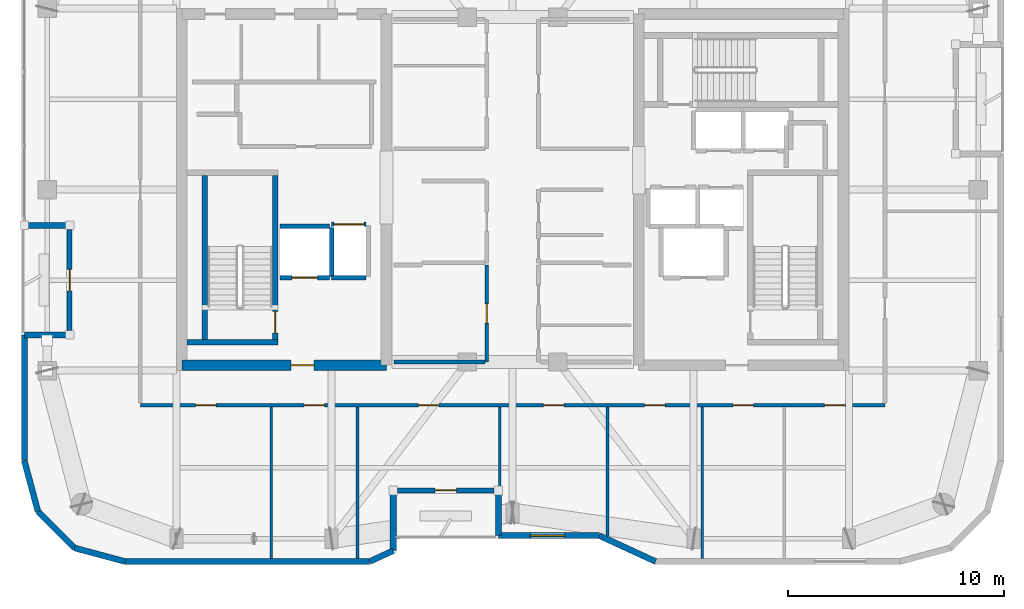
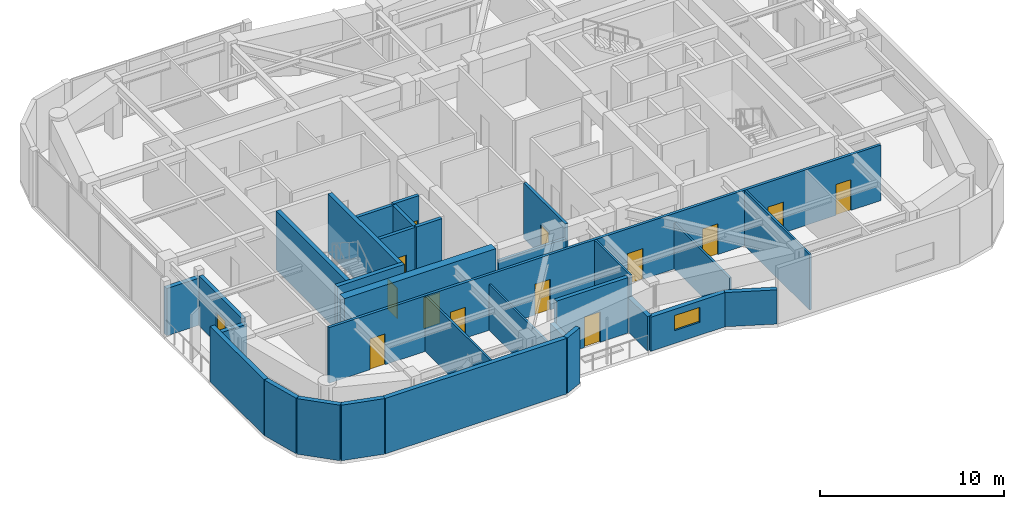
# One storey, part 10 of 15: 31 walls, 14 doors, 1 window, 15 openings.
"""IFC4 building model written with IfcOpenShell, lengths in metres."""

from ifc_helpers import new_model, si_unit, direction, frame, frame_2d, origin, place, context, subcontext, project, spatial, rectangle, extrude, material, layer, layer_set, type_object, element, fill, save


model = new_model("IFC4")

# Units and contexts
model_context = context("Model", 3, precision=1e-05, world=origin(), true_north=direction((0.0, 1.0)))
body_context = subcontext(model_context, "Body", "Model", "MODEL_VIEW")
ifc_project = project(units=[si_unit("LENGTHUNIT", "METRE"), si_unit("AREAUNIT", "SQUARE_METRE"), si_unit("VOLUMEUNIT", "CUBIC_METRE"), si_unit("PLANEANGLEUNIT", "RADIAN"), si_unit("MASSUNIT", "GRAM", prefix="KILO")], contexts=[model_context])

# Site, building, storey
site_placement = place(None, origin())
site = spatial("IfcSite", under=ifc_project, at=site_placement, CompositionType="ELEMENT")
building_placement = place(site_placement, origin())
building = spatial("IfcBuilding", under=site, at=building_placement, Name="Kiyonajd Concourse Tower", CompositionType="ELEMENT")
storey_placement = place(building_placement, frame((0.0, 0.0, 318.0)))
storey = spatial("IfcBuildingStorey", under=building, at=storey_placement, Name="L80", CompositionType="ELEMENT", Elevation=318.0)

# Wall, opening, door
ifc_material_1 = material(Name="Concrete C60/75", Category="concrete")
ifc_layer_1 = layer(ifc_material_1, 0.5)
ifc_layer_set_1 = layer_set([ifc_layer_1], Name="Concrete C60/75")
wall_type_1 = type_object("IfcWallType", Name="WL-CORE-500", PredefinedType="SHEAR", material=ifc_layer_set_1)
wall_1_placement = place(storey_placement, frame((32.64990234375, 27.85009765625, 0.0), z_axis=(0.0, 0.0, 1.0), x_axis=(1.0, 0.0, 0.0)))
wall_1 = element("IfcWall", 1, at=wall_1_placement, inside=storey, type_object=wall_type_1, Name="L80 West Core South Shear Wall", PredefinedType="SHEAR", context=body_context, shape_type="SweptSolid", body=[
    extrude(rectangle(XDim=9.5, YDim=0.5, at=frame_2d((4.75, 0.0))), origin(), (0.0, 0.0, 1.0), 3.89990234375),
])
opening_1_placement = place(wall_1_placement, frame((5.074951171875, 0.0, 0.0)))
opening_1 = element("IfcOpeningElement", 2, at=opening_1_placement, cuts=wall_1, Name="Opening DF5", PredefinedType="OPENING", context=body_context, shape_type="SweptSolid", body=[
    extrude(rectangle(XDim=1.050048828125, YDim=2.0400390625, at=frame_2d((0.52490234375, 1.02001953125))), frame((0.0, 0.260009765625, 0.0), z_axis=(0.0, -1.0, 0.0), x_axis=(1.0, 0.0, 0.0)), (0.0, 0.0, 1.0), 0.52001953125),
])
ifc_material_2 = material(Name="Brushed Stainless Steel Cab Assembly", Category="steel")
door_type_1 = type_object("IfcDoorType", Name="DR-FD45-1050", OperationType="NOTDEFINED", PredefinedType="DOOR", material=ifc_material_2)
door_1_placement = place(opening_1_placement, origin())
door_1 = element("IfcDoor", 3, at=door_1_placement, inside=storey, type_object=door_type_1, Name="L80 Firefighting Lift Lobby W Smoke Door", OperationType="SINGLE_SWING_LEFT", OverallHeight=2.0400390625, OverallWidth=1.050048828125, PredefinedType="DOOR", context=body_context, shape_type="SweptSolid", body=[
    extrude(rectangle(XDim=1.050048828125, YDim=2.0400390625, at=frame_2d((0.52490234375, 1.02001953125))), frame((0.0, 0.02490234375, 0.0), z_axis=(0.0, -1.0, 0.0), x_axis=(1.0, 0.0, 0.0)), (0.0, 0.0, 1.0), 0.050048828125),
])
fill(opening_1, door_1)

# Walls
ifc_material_3 = material(Name="Precast concrete C50/60", Category="concrete")
ifc_layer_2 = layer(ifc_material_3, 0.280029296875)
ifc_layer_set_2 = layer_set([ifc_layer_2], Name="Precast concrete C50/60")
wall_type_2 = type_object("IfcWallType", Name="WL-EXT-280", PredefinedType="SOLIDWALL", material=ifc_layer_set_2)
wall_2_placement = place(storey_placement, frame((25.968505859375, 21.072509765625, 0.0), z_axis=(0.0, 0.0, 1.0), x_axis=(-0.258751159445, 0.965944013639, 0.0)))
element("IfcWall", 4, at=wall_2_placement, inside=storey, type_object=wall_type_2, Name="L80 Exterior Concrete Frame Wall 00", PredefinedType="SOLIDWALL", context=body_context, shape_type="SweptSolid", body=[
    extrude(rectangle(XDim=2.4287109375, YDim=0.280029296875, at=frame_2d((1.21435546875, 0.0))), origin(), (0.0, 0.0, 1.0), 3.679931640625),
])
wall_3_placement = place(storey_placement, frame((25.340087890625, 23.41845703125, 0.0), z_axis=(0.0, 0.0, 1.0), x_axis=(0.0, 1.0, 0.0)))
element("IfcWall", 5, at=wall_3_placement, inside=storey, type_object=wall_type_2, Name="L80 Exterior Concrete Frame Wall 01", PredefinedType="SOLIDWALL", context=body_context, shape_type="SweptSolid", body=[
    extrude(rectangle(XDim=5.841552734375, YDim=0.280029296875, at=frame_2d((2.9208984375, 0.0))), origin(), (0.0, 0.0, 1.0), 3.679931640625),
])
for number, where, z_axis, x_axis, name in (
    (6, (25.340087890625, 29.260009765625, 0.0), (0.0, 0.0, 1.0), (1.0, 0.0, 0.0), "L80 Exterior Concrete Frame Wall 02"),
    (7, (27.43994140625, 34.340087890625, 0.0), (0.0, 0.0, 1.0), (-1.0, 0.0, 0.0), "L80 Exterior Concrete Frame Wall 04"),
):
    element("IfcWall", number, at=place(storey_placement, frame(where, z_axis=z_axis, x_axis=x_axis)), inside=storey, type_object=wall_type_2, Name=name, PredefinedType="SOLIDWALL", context=body_context, shape_type="SweptSolid", body=[
        extrude(rectangle(XDim=2.099853515625, YDim=0.280029296875, at=frame_2d((1.0498046875, 0.0))), origin(), (0.0, 0.0, 1.0), 3.1259765625),
    ])
wall_4_placement = place(storey_placement, frame((54.630615234375, 18.739990234375, 0.0), z_axis=(0.0, 0.0, 1.0), x_axis=(-0.907956889006, 0.419063584324, 0.0)))
element("IfcWall", 8, at=wall_4_placement, inside=storey, type_object=wall_type_2, Name="L80 Exterior Concrete Frame Wall 29", PredefinedType="SOLIDWALL", context=body_context, shape_type="SweptSolid", body=[
    extrude(rectangle(XDim=2.863525390625, YDim=0.280029296875, at=frame_2d((1.431640625, 0.0))), origin(), (0.0, 0.0, 1.0), 2.264892578125),
])

# Wall, opening, window
wall_5_placement = place(storey_placement, frame((52.03076171875, 19.93994140625, 0.0), z_axis=(0.0, 0.0, 1.0), x_axis=(-1.0, 0.0, 0.0)))
wall_5 = element("IfcWall", 9, at=wall_5_placement, inside=storey, type_object=wall_type_2, Name="L80 Exterior Concrete Frame Wall 30", PredefinedType="SOLIDWALL", context=body_context, shape_type="SweptSolid", body=[
    extrude(rectangle(XDim=4.690673828125, YDim=0.280029296875, at=frame_2d((2.34521484375, 0.0))), origin(), (0.0, 0.0, 1.0), 2.264892578125),
])
opening_2_placement = place(wall_5_placement, frame((1.610107421875, 0.0, 0.85009765625)))
opening_2 = element("IfcOpeningElement", 10, at=opening_2_placement, cuts=wall_5, Name="Opening WN6", PredefinedType="OPENING", context=body_context, shape_type="SweptSolid", body=[
    extrude(rectangle(XDim=1.60009765625, YDim=1.0, at=frame_2d((0.800048828125, 0.5))), frame((0.0, 0.14990234375, 0.0), z_axis=(0.0, -1.0, 0.0), x_axis=(1.0, 0.0, 0.0)), (0.0, 0.0, 1.0), 0.300048828125),
])
ifc_material_4 = material(Name="Double Low-E Insulated Glass", Category="glass")
window_type = type_object("IfcWindowType", Name="WN-VIS-1600x1000", PartitioningType="SINGLE_PANEL", PredefinedType="WINDOW", material=ifc_material_4)
window_placement = place(opening_2_placement, origin())
window = element("IfcWindow", 11, at=window_placement, inside=storey, type_object=window_type, Name="L80 Modular Facade Vision Window 30", OverallHeight=1.0, OverallWidth=1.60009765625, PartitioningType="SINGLE_PANEL", PredefinedType="WINDOW", context=body_context, shape_type="SweptSolid", body=[
    extrude(rectangle(XDim=1.60009765625, YDim=1.0, at=frame_2d((0.800048828125, 0.5))), frame((0.0, 0.030029296875, 0.0), z_axis=(0.0, -1.0, 0.0), x_axis=(1.0, 0.0, 0.0)), (0.0, 0.0, 1.0), 0.06005859375),
])
fill(opening_2, window)

# Walls
wall_6_placement = place(storey_placement, frame((47.340087890625, 19.93994140625, 0.0), z_axis=(0.0, 0.0, 1.0), x_axis=(0.0, 1.0, 0.0)))
element("IfcWall", 12, at=wall_6_placement, inside=storey, type_object=wall_type_2, Name="L80 Exterior Concrete Frame Wall 31", PredefinedType="SOLIDWALL", context=body_context, shape_type="SweptSolid", body=[
    extrude(rectangle(XDim=2.10009765625, YDim=0.280029296875, at=frame_2d((1.050048828125, 0.0))), origin(), (0.0, 0.0, 1.0), 2.264892578125),
])
wall_7_placement = place(storey_placement, frame((42.4599609375, 22.0400390625, 0.0), z_axis=(0.0, 0.0, 1.0), x_axis=(0.0, -1.0, 0.0)))
element("IfcWall", 13, at=wall_7_placement, inside=storey, type_object=wall_type_2, Name="L80 Exterior Concrete Frame Wall 33", PredefinedType="SOLIDWALL", context=body_context, shape_type="SweptSolid", body=[
    extrude(rectangle(XDim=2.79638671875, YDim=0.280029296875, at=frame_2d((1.398193359375, 0.0))), origin(), (0.0, 0.0, 1.0), 2.264892578125),
])
wall_8_placement = place(storey_placement, frame((42.4599609375, 19.24365234375, 0.0), z_axis=(0.0, 0.0, 1.0), x_axis=(-0.907893953211, -0.419199916176, 0.0)))
element("IfcWall", 14, at=wall_8_placement, inside=storey, type_object=wall_type_2, Name="L80 Exterior Concrete Frame Wall 34", PredefinedType="SOLIDWALL", context=body_context, shape_type="SweptSolid", body=[
    extrude(rectangle(XDim=1.201416015625, YDim=0.280029296875, at=frame_2d((0.6005859375, 0.0))), origin(), (0.0, 0.0, 1.0), 3.679931640625),
])
wall_9_placement = place(storey_placement, frame((41.369140625, 18.739990234375, 0.0), z_axis=(0.0, 0.0, 1.0), x_axis=(-1.0, 0.0, 0.0)))
element("IfcWall", 15, at=wall_9_placement, inside=storey, type_object=wall_type_2, Name="L80 Exterior Concrete Frame Wall 35", PredefinedType="SOLIDWALL", context=body_context, shape_type="SweptSolid", body=[
    extrude(rectangle(XDim=11.350830078125, YDim=0.280029296875, at=frame_2d((5.67529296875, 0.0))), origin(), (0.0, 0.0, 1.0), 3.679931640625),
])
wall_10_placement = place(storey_placement, frame((30.018310546875, 18.739990234375, 0.0), z_axis=(0.0, 0.0, 1.0), x_axis=(-0.965937282298, 0.25877628691, 0.0)))
element("IfcWall", 16, at=wall_10_placement, inside=storey, type_object=wall_type_2, Name="L80 Exterior Concrete Frame Wall 36", PredefinedType="SOLIDWALL", context=body_context, shape_type="SweptSolid", body=[
    extrude(rectangle(XDim=2.428466796875, YDim=0.280029296875, at=frame_2d((1.21435546875, 0.0))), origin(), (0.0, 0.0, 1.0), 3.679931640625),
])
wall_11_placement = place(storey_placement, frame((27.672607421875, 19.368408203125, 0.0), z_axis=(0.0, 0.0, 1.0), x_axis=(-0.707106781187, 0.707106781187, 0.0)))
element("IfcWall", 17, at=wall_11_placement, inside=storey, type_object=wall_type_2, Name="L80 Exterior Concrete Frame Wall 37", PredefinedType="SOLIDWALL", context=body_context, shape_type="SweptSolid", body=[
    extrude(rectangle(XDim=2.409912109375, YDim=0.280029296875, at=frame_2d((1.205078125, 0.0))), origin(), (0.0, 0.0, 1.0), 3.679931640625),
])

# Wall, opening, door
ifc_layer_3 = layer(ifc_material_3, 0.239990234375)
ifc_layer_set_3 = layer_set([ifc_layer_3], Name="Precast concrete C50/60")
wall_type_3 = type_object("IfcWallType", Name="WL-LOG-240", PredefinedType="SOLIDWALL", material=ifc_layer_set_3)
wall_12_placement = place(storey_placement, frame((27.43994140625, 29.455078125, 0.0), z_axis=(0.0, 0.0, 1.0), x_axis=(0.0, 1.0, 0.0)))
wall_12 = element("IfcWall", 18, at=wall_12_placement, inside=storey, type_object=wall_type_3, Name="L80 Recessed Loggia Thermal Wall LOG-W", PredefinedType="SOLIDWALL", context=body_context, shape_type="SweptSolid", body=[
    extrude(rectangle(XDim=4.68994140625, YDim=0.239990234375, at=frame_2d((2.344970703125, 0.0))), origin(), (0.0, 0.0, 1.0), 3.31103515625),
])
opening_3_placement = place(wall_12_placement, frame((1.844970703125, 0.0, 0.0)))
opening_3 = element("IfcOpeningElement", 19, at=opening_3_placement, cuts=wall_12, Name="Opening DL1", PredefinedType="OPENING", context=body_context, shape_type="SweptSolid", body=[
    extrude(rectangle(XDim=1.0, YDim=2.02001953125, at=frame_2d((0.5, 1.010009765625))), frame((0.0, 0.1298828125, 0.0), z_axis=(0.0, -1.0, 0.0), x_axis=(1.0, 0.0, 0.0)), (0.0, 0.0, 1.0), 0.260009765625),
])
ifc_material_5 = material(Name="Thermally Broken Anodised Aluminium", Category="aluminium")
door_type_2 = type_object("IfcDoorType", Name="DR-LOG-1000", OperationType="NOTDEFINED", PredefinedType="DOOR", material=ifc_material_5)
door_2_placement = place(opening_3_placement, origin())
door_2 = element("IfcDoor", 20, at=door_2_placement, inside=storey, type_object=door_type_2, Name="L80 Engawa Loggia Access Door LOG-W", OperationType="SINGLE_SWING_LEFT", OverallHeight=2.02001953125, OverallWidth=1.0, PredefinedType="DOOR", context=body_context, shape_type="SweptSolid", body=[
    extrude(rectangle(XDim=1.0, YDim=2.02001953125, at=frame_2d((0.5, 1.010009765625))), frame((0.0, 0.02490234375, 0.0), z_axis=(0.0, -1.0, 0.0), x_axis=(1.0, 0.0, 0.0)), (0.0, 0.0, 1.0), 0.050048828125),
])
fill(opening_3, door_2)

wall_13_placement = place(storey_placement, frame((47.14501953125, 22.0400390625, 0.0), z_axis=(0.0, 0.0, 1.0), x_axis=(-1.0, 0.0, 0.0)))
wall_13 = element("IfcWall", 21, at=wall_13_placement, inside=storey, type_object=wall_type_3, Name="L80 Recessed Loggia Thermal Wall LOG-S", PredefinedType="SOLIDWALL", context=body_context, shape_type="SweptSolid", body=[
    extrude(rectangle(XDim=4.489990234375, YDim=0.239990234375, at=frame_2d((2.2451171875, 0.0))), origin(), (0.0, 0.0, 1.0), 3.679931640625),
])
opening_4_placement = place(wall_13_placement, frame((1.7451171875, 0.0, 0.0)))
opening_4 = element("IfcOpeningElement", 22, at=opening_4_placement, cuts=wall_13, Name="Opening DL1", PredefinedType="OPENING", context=body_context, shape_type="SweptSolid", body=[
    extrude(rectangle(XDim=1.0, YDim=2.02001953125, at=frame_2d((0.5, 1.010009765625))), frame((0.0, 0.1298828125, 0.0), z_axis=(0.0, -1.0, 0.0), x_axis=(1.0, 0.0, 0.0)), (0.0, 0.0, 1.0), 0.260009765625),
])
door_3_placement = place(opening_4_placement, origin())
door_3 = element("IfcDoor", 23, at=door_3_placement, inside=storey, type_object=door_type_2, Name="L80 Engawa Loggia Access Door LOG-S", OperationType="SINGLE_SWING_RIGHT", OverallHeight=2.02001953125, OverallWidth=1.0, PredefinedType="DOOR", context=body_context, shape_type="SweptSolid", body=[
    extrude(rectangle(XDim=1.0, YDim=2.02001953125, at=frame_2d((0.5, 1.010009765625))), frame((0.0, 0.02490234375, 0.0), z_axis=(0.0, -1.0, 0.0), x_axis=(1.0, 0.0, 0.0)), (0.0, 0.0, 1.0), 0.050048828125),
])
fill(opening_4, door_3)

# Walls
ifc_material_6 = material(Name="Gypsum Board on Cold-Formed Steel Stud", Category="steel")
ifc_layer_4 = layer(ifc_material_6, 0.125)
ifc_layer_set_4 = layer_set([ifc_layer_4], Name="Gypsum Board on Cold-Formed Steel Stud")
wall_type_4 = type_object("IfcWallType", Name="WL-PART-125", PredefinedType="PARTITIONING", material=ifc_layer_set_4)
wall_14_placement = place(storey_placement, frame((36.800048828125, 18.875, 0.0), z_axis=(0.0, 0.0, 1.0), x_axis=(0.0, 1.0, 0.0)))
element("IfcWall", 24, at=wall_14_placement, inside=storey, type_object=wall_type_4, Name="L80 Interior Partition Wall", PredefinedType="PARTITIONING", context=body_context, shape_type="SweptSolid", body=[
    extrude(rectangle(XDim=7.0380859375, YDim=0.125, at=frame_2d((3.51904296875, 0.0))), origin(), (0.0, 0.0, 1.0), 3.679931640625),
])
wall_15_placement = place(storey_placement, frame((40.800048828125, 18.875, 0.0), z_axis=(0.0, 0.0, 1.0), x_axis=(0.0, 1.0, 0.0)))
element("IfcWall", 25, at=wall_15_placement, inside=storey, type_object=wall_type_4, Name="L80 Interior Partition Wall", PredefinedType="PARTITIONING", context=body_context, shape_type="SweptSolid", body=[
    extrude(rectangle(XDim=7.0380859375, YDim=0.125, at=frame_2d((3.51904296875, 0.0))), origin(), (0.0, 0.0, 1.0), 3.04296875),
])
wall_16_placement = place(storey_placement, frame((47.39990234375, 22.0400390625, 0.0), z_axis=(0.0, 0.0, 1.0), x_axis=(0.0, 1.0, 0.0)))
element("IfcWall", 26, at=wall_16_placement, inside=storey, type_object=wall_type_4, Name="L80 Interior Partition Wall", PredefinedType="PARTITIONING", context=body_context, shape_type="SweptSolid", body=[
    extrude(rectangle(XDim=3.873046875, YDim=0.125, at=frame_2d((1.9365234375, 0.0))), origin(), (0.0, 0.0, 1.0), 3.679931640625),
])
wall_17_placement = place(storey_placement, frame((52.39990234375, 19.9208984375, 0.0), z_axis=(0.0, 0.0, 1.0), x_axis=(0.0, 1.0, 0.0)))
element("IfcWall", 27, at=wall_17_placement, inside=storey, type_object=wall_type_4, Name="L80 Interior Partition Wall", PredefinedType="PARTITIONING", context=body_context, shape_type="SweptSolid", body=[
    extrude(rectangle(XDim=5.9921875, YDim=0.125, at=frame_2d((2.99609375, 0.0))), origin(), (0.0, 0.0, 1.0), 3.04296875),
])
wall_18_placement = place(storey_placement, frame((56.800048828125, 18.875, 0.0), z_axis=(0.0, 0.0, 1.0), x_axis=(0.0, 1.0, 0.0)))
element("IfcWall", 28, at=wall_18_placement, inside=storey, type_object=wall_type_4, Name="L80 Interior Partition Wall", PredefinedType="PARTITIONING", context=body_context, shape_type="SweptSolid", body=[
    extrude(rectangle(XDim=7.0380859375, YDim=0.125, at=frame_2d((3.51904296875, 0.0))), origin(), (0.0, 0.0, 1.0), 3.679931640625),
])

# Wall, opening, door
ifc_layer_5 = layer(ifc_material_6, 0.2099609375)
ifc_layer_set_5 = layer_set([ifc_layer_5], Name="Gypsum Board on Cold-Formed Steel Stud")
wall_type_5 = type_object("IfcWallType", Name="WL-SHAFT-210", PredefinedType="PARTITIONING", material=ifc_layer_set_5)
wall_19_placement = place(storey_placement, frame((37.199951171875, 31.89990234375, 0.0), z_axis=(0.0, 0.0, 1.0), x_axis=(1.0, 0.0, 0.0)))
wall_19 = element("IfcWall", 29, at=wall_19_placement, inside=storey, type_object=wall_type_5, Name="L80 Shaft Enclosure Wall", PredefinedType="PARTITIONING", context=body_context, shape_type="SweptSolid", body=[
    extrude(rectangle(XDim=2.300048828125, YDim=0.2099609375, at=frame_2d((1.14990234375, 0.0))), origin(), (0.0, 0.0, 1.0), 3.679931640625),
])
opening_5_placement = place(wall_19_placement, frame((0.550048828125, 0.0, 0.0)))
opening_5 = element("IfcOpeningElement", 30, at=opening_5_placement, cuts=wall_19, Name="Opening LD2", PredefinedType="OPENING", context=body_context, shape_type="SweptSolid", body=[
    extrude(rectangle(XDim=1.199951171875, YDim=2.0400390625, at=frame_2d((0.60009765625, 1.02001953125))), frame((0.0, 0.114990234375, 0.0), z_axis=(0.0, -1.0, 0.0), x_axis=(1.0, 0.0, 0.0)), (0.0, 0.0, 1.0), 0.22998046875),
])
door_type_3 = type_object("IfcDoorType", Name="DR-LD-1200", OperationType="DOUBLE_DOOR_SLIDING", PredefinedType="DOOR", material=ifc_material_2)
door_4_placement = place(opening_5_placement, origin())
door_4 = element("IfcDoor", 31, at=door_4_placement, inside=storey, type_object=door_type_3, Name="L80 Lift FFL1 Sliding Landing Door", OperationType="DOUBLE_DOOR_SLIDING", OverallHeight=2.0400390625, OverallWidth=1.199951171875, PredefinedType="DOOR", context=body_context, shape_type="SweptSolid", body=[
    extrude(rectangle(XDim=1.199951171875, YDim=2.0400390625, at=frame_2d((0.60009765625, 1.02001953125))), frame((0.0, 0.02490234375, 0.0), z_axis=(0.0, -1.0, 0.0), x_axis=(1.0, 0.0, 0.0)), (0.0, 0.0, 1.0), 0.050048828125),
])
fill(opening_5, door_4)

# Walls
wall_20_placement = place(storey_placement, frame((37.199951171875, 34.300048828125, 0.0), z_axis=(0.0, 0.0, 1.0), x_axis=(1.0, 0.0, 0.0)))
element("IfcWall", 32, at=wall_20_placement, inside=storey, type_object=wall_type_5, Name="L80 Shaft Enclosure Wall", PredefinedType="PARTITIONING", context=body_context, shape_type="SweptSolid", body=[
    extrude(rectangle(XDim=2.300048828125, YDim=0.2099609375, at=frame_2d((1.14990234375, 0.0))), origin(), (0.0, 0.0, 1.0), 3.679931640625),
])
wall_21_placement = place(storey_placement, frame((39.60009765625, 31.9599609375, 0.0), z_axis=(0.0, 0.0, 1.0), x_axis=(0.0, 1.0, 0.0)))
element("IfcWall", 33, at=wall_21_placement, inside=storey, type_object=wall_type_5, Name="L80 Shaft Enclosure Wall", PredefinedType="PARTITIONING", context=body_context, shape_type="SweptSolid", body=[
    extrude(rectangle(XDim=2.280029296875, YDim=0.2099609375, at=frame_2d((1.14013671875, 0.0))), origin(), (0.0, 0.0, 1.0), 3.679931640625),
])

# Wall, opening, door
wall_22_placement = place(storey_placement, frame((39.60009765625, 34.39990234375, 0.0), z_axis=(0.0, 0.0, 1.0), x_axis=(1.0, 0.0, 0.0)))
wall_22 = element("IfcWall", 34, at=wall_22_placement, inside=storey, type_object=wall_type_5, Name="L80 Shaft Enclosure Wall", PredefinedType="PARTITIONING", context=body_context, shape_type="SweptSolid", body=[
    extrude(rectangle(XDim=1.599853515625, YDim=0.2099609375, at=frame_2d((0.7998046875, 0.0))), origin(), (0.0, 0.0, 1.0), 3.679931640625),
])
opening_6_placement = place(wall_22_placement, frame((0.10009765625, 0.0, 0.0)))
opening_6 = element("IfcOpeningElement", 35, at=opening_6_placement, cuts=wall_22, Name="Opening LD3", PredefinedType="OPENING", context=body_context, shape_type="SweptSolid", body=[
    extrude(rectangle(XDim=1.39990234375, YDim=2.06005859375, at=frame_2d((0.699951171875, 1.030029296875))), frame((0.0, 0.114990234375, 0.0), z_axis=(0.0, -1.0, 0.0), x_axis=(1.0, 0.0, 0.0)), (0.0, 0.0, 1.0), 0.22998046875),
])
door_type_4 = type_object("IfcDoorType", Name="DR-LD-1400", OperationType="DOUBLE_DOOR_SLIDING", PredefinedType="DOOR", material=ifc_material_2)
door_5_placement = place(opening_6_placement, origin())
door_5 = element("IfcDoor", 36, at=door_5_placement, inside=storey, type_object=door_type_4, Name="L80 Lift SVL1 Sliding Landing Door", OperationType="DOUBLE_DOOR_SLIDING", OverallHeight=2.06005859375, OverallWidth=1.39990234375, PredefinedType="DOOR", context=body_context, shape_type="SweptSolid", body=[
    extrude(rectangle(XDim=1.39990234375, YDim=2.06005859375, at=frame_2d((0.699951171875, 1.030029296875))), frame((0.0, 0.02490234375, 0.0), z_axis=(0.0, -1.0, 0.0), x_axis=(1.0, 0.0, 0.0)), (0.0, 0.0, 1.0), 0.050048828125),
])
fill(opening_6, door_5)

# Wall
wall_23_placement = place(storey_placement, frame((39.60009765625, 31.89990234375, 0.0), z_axis=(0.0, 0.0, 1.0), x_axis=(1.0, 0.0, 0.0)))
element("IfcWall", 37, at=wall_23_placement, inside=storey, type_object=wall_type_5, Name="L80 Shaft Enclosure Wall", PredefinedType="PARTITIONING", context=body_context, shape_type="SweptSolid", body=[
    extrude(rectangle(XDim=1.599853515625, YDim=0.2099609375, at=frame_2d((0.7998046875, 0.0))), origin(), (0.0, 0.0, 1.0), 3.679931640625),
])

# Wall, opening, door
ifc_layer_6 = layer(ifc_material_6, 0.169921875)
ifc_layer_set_6 = layer_set([ifc_layer_6], Name="Gypsum Board on Cold-Formed Steel Stud")
wall_type_6 = type_object("IfcWallType", Name="WL-SMK-170", PredefinedType="PARTITIONING", material=ifc_layer_set_6)
wall_24_placement = place(storey_placement, frame((46.800048828125, 28.0, 0.0), z_axis=(0.0, 0.0, 1.0), x_axis=(0.0, 1.0, 0.0)))
wall_24 = element("IfcWall", 38, at=wall_24_placement, inside=storey, type_object=wall_type_6, Name="L80 Interior Partition Wall", PredefinedType="PARTITIONING", context=body_context, shape_type="SweptSolid", body=[
    extrude(rectangle(XDim=4.5, YDim=0.169921875, at=frame_2d((2.25, 0.0))), origin(), (0.0, 0.0, 1.0), 3.679931640625),
])
opening_7_placement = place(wall_24_placement, frame((1.800048828125, 0.0, 0.0)))
opening_7 = element("IfcOpeningElement", 39, at=opening_7_placement, cuts=wall_24, Name="Opening DI2", PredefinedType="OPENING", context=body_context, shape_type="SweptSolid", body=[
    extrude(rectangle(XDim=0.89990234375, YDim=2.02001953125, at=frame_2d((0.449951171875, 1.010009765625))), frame((0.0, 0.094970703125, 0.0), z_axis=(0.0, -1.0, 0.0), x_axis=(1.0, 0.0, 0.0)), (0.0, 0.0, 1.0), 0.18994140625),
])
ifc_material_7 = material(Name="Natural Oak Acoustic Timber Veneer", Category="wood")
door_type_5 = type_object("IfcDoorType", Name="DR-INT-900", OperationType="NOTDEFINED", PredefinedType="DOOR", material=ifc_material_7)
door_6_placement = place(opening_7_placement, origin())
door_6 = element("IfcDoor", 40, at=door_6_placement, inside=storey, type_object=door_type_5, Name="L80 Interior Door", OperationType="SINGLE_SWING_LEFT", OverallHeight=2.02001953125, OverallWidth=0.89990234375, PredefinedType="DOOR", context=body_context, shape_type="SweptSolid", body=[
    extrude(rectangle(XDim=0.89990234375, YDim=2.02001953125, at=frame_2d((0.449951171875, 1.010009765625))), frame((0.0, 0.02490234375, 0.0), z_axis=(0.0, -1.0, 0.0), x_axis=(1.0, 0.0, 0.0)), (0.0, 0.0, 1.0), 0.050048828125),
])
fill(opening_7, door_6)

# Wall
wall_25_placement = place(storey_placement, frame((42.5, 28.0, 0.0), z_axis=(0.0, 0.0, 1.0), x_axis=(1.0, 0.0, 0.0)))
element("IfcWall", 41, at=wall_25_placement, inside=storey, type_object=wall_type_6, Name="L80 Interior Partition Wall", PredefinedType="PARTITIONING", context=body_context, shape_type="SweptSolid", body=[
    extrude(rectangle(XDim=4.212890625, YDim=0.169921875, at=frame_2d((2.1064453125, 0.0))), origin(), (0.0, 0.0, 1.0), 2.764892578125),
])

# Wall, openings, doors
wall_26_placement = place(storey_placement, frame((30.72509765625, 26.0, 0.0), z_axis=(0.0, 0.0, 1.0), x_axis=(1.0, 0.0, 0.0)))
wall_26 = element("IfcWall", 42, at=wall_26_placement, inside=storey, type_object=wall_type_6, Name="L80 Interior Partition Wall", PredefinedType="PARTITIONING", context=body_context, shape_type="SweptSolid", body=[
    extrude(rectangle(XDim=34.5498046875, YDim=0.169921875, at=frame_2d((17.27490234375, 0.0))), origin(), (0.0, 0.0, 1.0), 3.679931640625),
])
opening_8_placement = place(wall_26_placement, frame((2.56298828125, 0.0, 0.0)))
opening_8 = element("IfcOpeningElement", 43, at=opening_8_placement, cuts=wall_26, Name="Opening DI1", PredefinedType="OPENING", context=body_context, shape_type="SweptSolid", body=[
    extrude(rectangle(XDim=0.949951171875, YDim=2.0400390625, at=frame_2d((0.47509765625, 1.02001953125))), frame((0.0, 0.094970703125, 0.0), z_axis=(0.0, -1.0, 0.0), x_axis=(1.0, 0.0, 0.0)), (0.0, 0.0, 1.0), 0.18994140625),
])
opening_9_placement = place(wall_26_placement, frame((7.60009765625, 0.0, 0.0)))
opening_9 = element("IfcOpeningElement", 44, at=opening_9_placement, cuts=wall_26, Name="Opening DI1", PredefinedType="OPENING", context=body_context, shape_type="SweptSolid", body=[
    extrude(rectangle(XDim=0.949951171875, YDim=2.0400390625, at=frame_2d((0.47509765625, 1.02001953125))), frame((0.0, 0.094970703125, 0.0), z_axis=(0.0, -1.0, 0.0), x_axis=(1.0, 0.0, 0.0)), (0.0, 0.0, 1.0), 0.18994140625),
])
opening_10_placement = place(wall_26_placement, frame((12.89990234375, 0.0, 0.0)))
opening_10 = element("IfcOpeningElement", 45, at=opening_10_placement, cuts=wall_26, Name="Opening DI1", PredefinedType="OPENING", context=body_context, shape_type="SweptSolid", body=[
    extrude(rectangle(XDim=0.949951171875, YDim=2.0400390625, at=frame_2d((0.47509765625, 1.02001953125))), frame((0.0, 0.094970703125, 0.0), z_axis=(0.0, -1.0, 0.0), x_axis=(1.0, 0.0, 0.0)), (0.0, 0.0, 1.0), 0.18994140625),
])
opening_11_placement = place(wall_26_placement, frame((18.699951171875, 0.0, 0.0)))
opening_11 = element("IfcOpeningElement", 46, at=opening_11_placement, cuts=wall_26, Name="Opening DI1", PredefinedType="OPENING", context=body_context, shape_type="SweptSolid", body=[
    extrude(rectangle(XDim=0.949951171875, YDim=2.0400390625, at=frame_2d((0.47509765625, 1.02001953125))), frame((0.0, 0.094970703125, 0.0), z_axis=(0.0, -1.0, 0.0), x_axis=(1.0, 0.0, 0.0)), (0.0, 0.0, 1.0), 0.18994140625),
])
opening_12_placement = place(wall_26_placement, frame((23.39990234375, 0.0, 0.0)))
opening_12 = element("IfcOpeningElement", 47, at=opening_12_placement, cuts=wall_26, Name="Opening DI1", PredefinedType="OPENING", context=body_context, shape_type="SweptSolid", body=[
    extrude(rectangle(XDim=0.949951171875, YDim=2.0400390625, at=frame_2d((0.47509765625, 1.02001953125))), frame((0.0, 0.094970703125, 0.0), z_axis=(0.0, -1.0, 0.0), x_axis=(1.0, 0.0, 0.0)), (0.0, 0.0, 1.0), 0.18994140625),
])
opening_13_placement = place(wall_26_placement, frame((27.5, 0.0, 0.0)))
opening_13 = element("IfcOpeningElement", 48, at=opening_13_placement, cuts=wall_26, Name="Opening DI1", PredefinedType="OPENING", context=body_context, shape_type="SweptSolid", body=[
    extrude(rectangle(XDim=0.949951171875, YDim=2.0400390625, at=frame_2d((0.47509765625, 1.02001953125))), frame((0.0, 0.094970703125, 0.0), z_axis=(0.0, -1.0, 0.0), x_axis=(1.0, 0.0, 0.0)), (0.0, 0.0, 1.0), 0.18994140625),
])
opening_14_placement = place(wall_26_placement, frame((31.738037109375, 0.0, 0.0)))
opening_14 = element("IfcOpeningElement", 49, at=opening_14_placement, cuts=wall_26, Name="Opening DI1", PredefinedType="OPENING", context=body_context, shape_type="SweptSolid", body=[
    extrude(rectangle(XDim=0.949951171875, YDim=2.0400390625, at=frame_2d((0.47509765625, 1.02001953125))), frame((0.0, 0.094970703125, 0.0), z_axis=(0.0, -1.0, 0.0), x_axis=(1.0, 0.0, 0.0)), (0.0, 0.0, 1.0), 0.18994140625),
])
door_type_6 = type_object("IfcDoorType", Name="DR-INT-950", OperationType="NOTDEFINED", PredefinedType="DOOR", material=ifc_material_7)
door_7_placement = place(opening_8_placement, origin())
door_7 = element("IfcDoor", 50, at=door_7_placement, inside=storey, type_object=door_type_6, Name="L80 Interior Door", OperationType="SINGLE_SWING_LEFT", OverallHeight=2.0400390625, OverallWidth=0.949951171875, PredefinedType="DOOR", context=body_context, shape_type="SweptSolid", body=[
    extrude(rectangle(XDim=0.949951171875, YDim=2.0400390625, at=frame_2d((0.47509765625, 1.02001953125))), frame((0.0, 0.02490234375, 0.0), z_axis=(0.0, -1.0, 0.0), x_axis=(1.0, 0.0, 0.0)), (0.0, 0.0, 1.0), 0.050048828125),
])
fill(opening_8, door_7)
door_8_placement = place(opening_9_placement, origin())
door_8 = element("IfcDoor", 51, at=door_8_placement, inside=storey, type_object=door_type_6, Name="L80 Interior Door", OperationType="SINGLE_SWING_RIGHT", OverallHeight=2.0400390625, OverallWidth=0.949951171875, PredefinedType="DOOR", context=body_context, shape_type="SweptSolid", body=[
    extrude(rectangle(XDim=0.949951171875, YDim=2.0400390625, at=frame_2d((0.47509765625, 1.02001953125))), frame((0.0, 0.02490234375, 0.0), z_axis=(0.0, -1.0, 0.0), x_axis=(1.0, 0.0, 0.0)), (0.0, 0.0, 1.0), 0.050048828125),
])
fill(opening_9, door_8)
door_9_placement = place(opening_10_placement, origin())
door_9 = element("IfcDoor", 52, at=door_9_placement, inside=storey, type_object=door_type_6, Name="L80 Interior Door", OperationType="SINGLE_SWING_LEFT", OverallHeight=2.0400390625, OverallWidth=0.949951171875, PredefinedType="DOOR", context=body_context, shape_type="SweptSolid", body=[
    extrude(rectangle(XDim=0.949951171875, YDim=2.0400390625, at=frame_2d((0.47509765625, 1.02001953125))), frame((0.0, 0.02490234375, 0.0), z_axis=(0.0, -1.0, 0.0), x_axis=(1.0, 0.0, 0.0)), (0.0, 0.0, 1.0), 0.050048828125),
])
fill(opening_10, door_9)
door_10_placement = place(opening_11_placement, origin())
door_10 = element("IfcDoor", 53, at=door_10_placement, inside=storey, type_object=door_type_6, Name="L80 Interior Door", OperationType="SINGLE_SWING_RIGHT", OverallHeight=2.0400390625, OverallWidth=0.949951171875, PredefinedType="DOOR", context=body_context, shape_type="SweptSolid", body=[
    extrude(rectangle(XDim=0.949951171875, YDim=2.0400390625, at=frame_2d((0.47509765625, 1.02001953125))), frame((0.0, 0.02490234375, 0.0), z_axis=(0.0, -1.0, 0.0), x_axis=(1.0, 0.0, 0.0)), (0.0, 0.0, 1.0), 0.050048828125),
])
fill(opening_11, door_10)
door_11_placement = place(opening_12_placement, origin())
door_11 = element("IfcDoor", 54, at=door_11_placement, inside=storey, type_object=door_type_6, Name="L80 Interior Door", OperationType="SINGLE_SWING_LEFT", OverallHeight=2.0400390625, OverallWidth=0.949951171875, PredefinedType="DOOR", context=body_context, shape_type="SweptSolid", body=[
    extrude(rectangle(XDim=0.949951171875, YDim=2.0400390625, at=frame_2d((0.47509765625, 1.02001953125))), frame((0.0, 0.02490234375, 0.0), z_axis=(0.0, -1.0, 0.0), x_axis=(1.0, 0.0, 0.0)), (0.0, 0.0, 1.0), 0.050048828125),
])
fill(opening_12, door_11)
door_12_placement = place(opening_13_placement, origin())
door_12 = element("IfcDoor", 55, at=door_12_placement, inside=storey, type_object=door_type_6, Name="L80 Interior Door", OperationType="SINGLE_SWING_RIGHT", OverallHeight=2.0400390625, OverallWidth=0.949951171875, PredefinedType="DOOR", context=body_context, shape_type="SweptSolid", body=[
    extrude(rectangle(XDim=0.949951171875, YDim=2.0400390625, at=frame_2d((0.47509765625, 1.02001953125))), frame((0.0, 0.02490234375, 0.0), z_axis=(0.0, -1.0, 0.0), x_axis=(1.0, 0.0, 0.0)), (0.0, 0.0, 1.0), 0.050048828125),
])
fill(opening_13, door_12)
door_13_placement = place(opening_14_placement, origin())
door_13 = element("IfcDoor", 56, at=door_13_placement, inside=storey, type_object=door_type_6, Name="L80 Interior Door", OperationType="SINGLE_SWING_LEFT", OverallHeight=2.0400390625, OverallWidth=0.949951171875, PredefinedType="DOOR", context=body_context, shape_type="SweptSolid", body=[
    extrude(rectangle(XDim=0.949951171875, YDim=2.0400390625, at=frame_2d((0.47509765625, 1.02001953125))), frame((0.0, 0.02490234375, 0.0), z_axis=(0.0, -1.0, 0.0), x_axis=(1.0, 0.0, 0.0)), (0.0, 0.0, 1.0), 0.050048828125),
])
fill(opening_14, door_13)

# Walls
ifc_material_8 = material(Name="Concrete C50/60", Category="concrete")
ifc_layer_7 = layer(ifc_material_8, 0.260009765625)
ifc_layer_set_7 = layer_set([ifc_layer_7], Name="Concrete C50/60")
wall_type_7 = type_object("IfcWallType", Name="WL-STAIR-260", PredefinedType="SHEAR", material=ifc_layer_set_7)
wall_27_placement = place(storey_placement, frame((32.89990234375, 28.919921875, 0.0), z_axis=(0.0, 0.0, 1.0), x_axis=(1.0, 0.0, 0.0)))
element("IfcWall", 57, at=wall_27_placement, inside=storey, type_object=wall_type_7, Name="L80 Stair ST1 Structural South Wall", PredefinedType="SHEAR", context=body_context, shape_type="SweptSolid", body=[
    extrude(rectangle(XDim=4.210205078125, YDim=0.260009765625, at=frame_2d((2.10498046875, 0.0))), origin(), (0.0, 0.0, 1.0), 3.89990234375),
])
wall_28_placement = place(storey_placement, frame((33.719970703125, 29.050048828125, 0.0), z_axis=(0.0, 0.0, 1.0), x_axis=(0.0, 1.0, 0.0)))
element("IfcWall", 58, at=wall_28_placement, inside=storey, type_object=wall_type_7, Name="L80 Stair ST1 Structural West Wall", PredefinedType="SHEAR", context=body_context, shape_type="SweptSolid", body=[
    extrude(rectangle(XDim=7.599853515625, YDim=0.260009765625, at=frame_2d((3.7998046875, 0.0))), origin(), (0.0, 0.0, 1.0), 3.89990234375),
])

# Wall, opening, door
wall_29_placement = place(storey_placement, frame((36.97998046875, 29.050048828125, 0.0), z_axis=(0.0, 0.0, 1.0), x_axis=(0.0, 1.0, 0.0)))
wall_29 = element("IfcWall", 59, at=wall_29_placement, inside=storey, type_object=wall_type_7, Name="L80 Stair ST1 Structural East Wall", PredefinedType="SHEAR", context=body_context, shape_type="SweptSolid", body=[
    extrude(rectangle(XDim=7.599853515625, YDim=0.260009765625, at=frame_2d((3.7998046875, 0.0))), origin(), (0.0, 0.0, 1.0), 3.89990234375),
])
opening_15_placement = place(wall_29_placement, frame((0.300048828125, 0.0, 0.0)))
opening_15 = element("IfcOpeningElement", 60, at=opening_15_placement, cuts=wall_29, Name="Opening DF1", PredefinedType="OPENING", context=body_context, shape_type="SweptSolid", body=[
    extrude(rectangle(XDim=1.0, YDim=2.0400390625, at=frame_2d((0.5, 1.02001953125))), frame((0.0, 0.139892578125, 0.0), z_axis=(0.0, -1.0, 0.0), x_axis=(1.0, 0.0, 0.0)), (0.0, 0.0, 1.0), 0.280029296875),
])
door_type_7 = type_object("IfcDoorType", Name="DR-FD90-1000", OperationType="NOTDEFINED", PredefinedType="DOOR", material=ifc_material_2)
door_14_placement = place(opening_15_placement, origin())
door_14 = element("IfcDoor", 61, at=door_14_placement, inside=storey, type_object=door_type_7, Name="L80 Stair ST1 FSAE Door", OperationType="SINGLE_SWING_LEFT", OverallHeight=2.0400390625, OverallWidth=1.0, PredefinedType="DOOR", context=body_context, shape_type="SweptSolid", body=[
    extrude(rectangle(XDim=1.0, YDim=2.0400390625, at=frame_2d((0.5, 1.02001953125))), frame((0.0, 0.02490234375, 0.0), z_axis=(0.0, -1.0, 0.0), x_axis=(1.0, 0.0, 0.0)), (0.0, 0.0, 1.0), 0.050048828125),
])
fill(opening_15, door_14)

save(model, "model.ifc")
